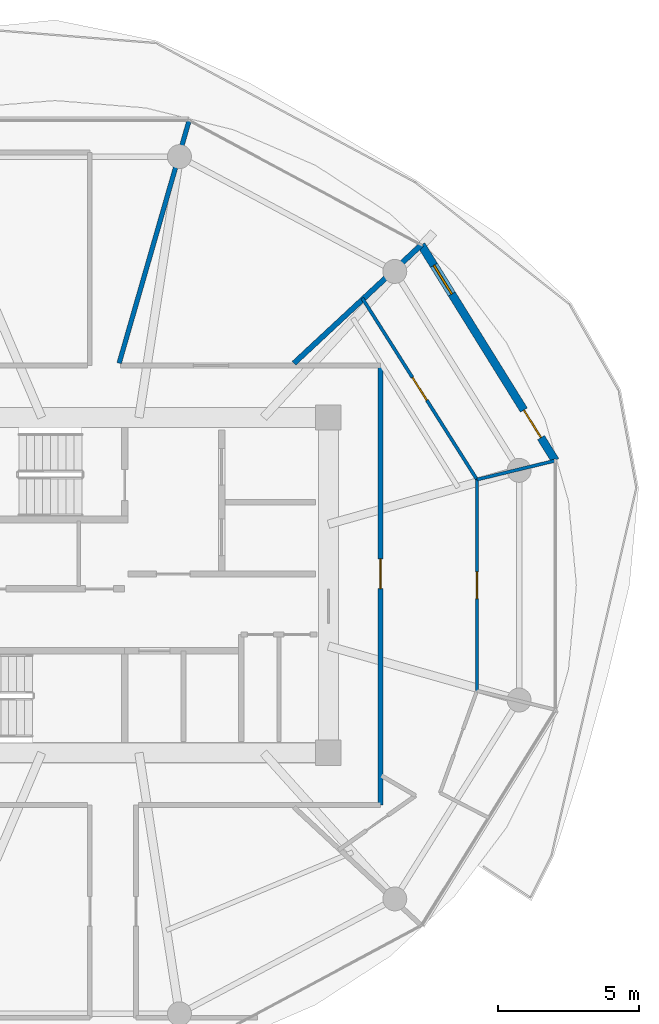
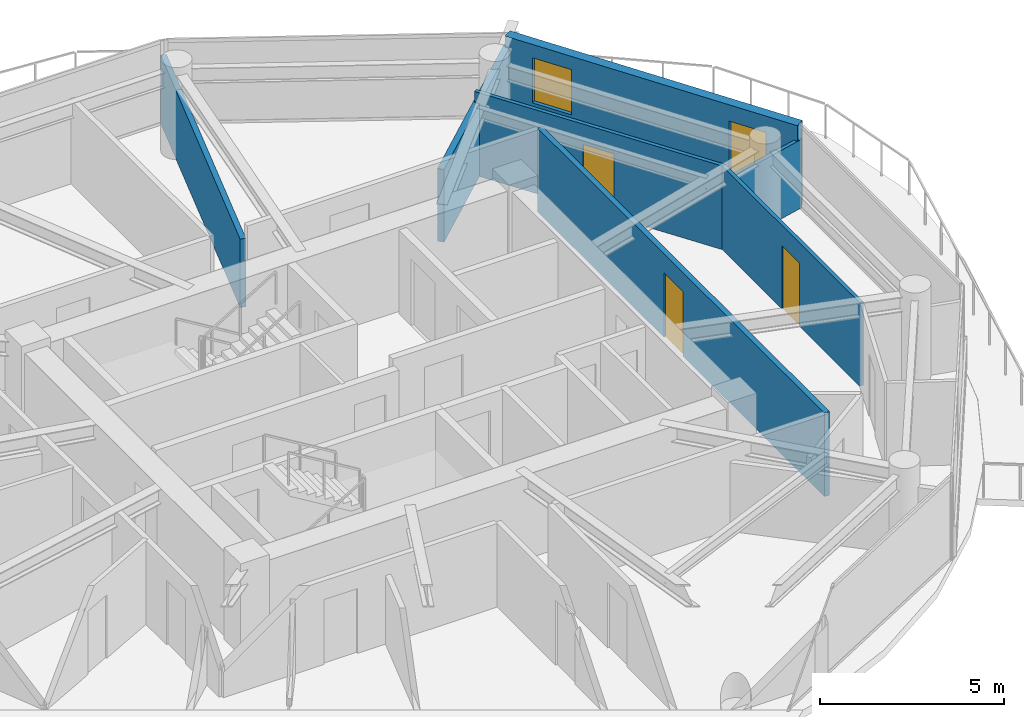
# One storey, part 18 of 24: 7 walls, 4 doors, 1 window, 5 openings.
"""IFC4 building model written with IfcOpenShell, lengths in metres."""

from ifc_helpers import new_model, si_unit, direction, frame, frame_2d, origin, place, context, subcontext, project, spatial, rectangle, extrude, source, transform, mapped, material, layer, layer_set, type_object, type_shapes, element, fill, save


model = new_model("IFC4")

# Units and contexts
model_context = context("Model", 3, precision=1e-05, world=origin(), true_north=direction((0.0, 1.0)))
body_context = subcontext(model_context, "Body", "Model", "MODEL_VIEW")
ifc_project = project(units=[si_unit("LENGTHUNIT", "METRE"), si_unit("AREAUNIT", "SQUARE_METRE"), si_unit("VOLUMEUNIT", "CUBIC_METRE"), si_unit("PLANEANGLEUNIT", "RADIAN"), si_unit("MASSUNIT", "GRAM", prefix="KILO")], contexts=[model_context])

# Site, building, storey
site_placement = place(None, origin())
site = spatial("IfcSite", under=ifc_project, at=site_placement, CompositionType="ELEMENT")
building_placement = place(site_placement, origin())
building = spatial("IfcBuilding", under=site, at=building_placement, Name="Norrkilde Senior Care Towers", CompositionType="ELEMENT")
storey_placement = place(building_placement, frame((0.0, 0.0, 105.39990234375)))
storey = spatial("IfcBuildingStorey", under=building, at=storey_placement, Name="L32", CompositionType="ELEMENT", Elevation=105.39990234375)

# Wall, openings, door, window
ifc_material_1 = material(Name="Precast concrete C45/55", Category="concrete")
ifc_layer_1 = layer(ifc_material_1, 0.2900390625)
ifc_layer_set_1 = layer_set([ifc_layer_1], Name="Precast concrete C45/55")
wall_type_1 = type_object("IfcWallType", Name="Winter Garden Facade Wall 290", PredefinedType="SOLIDWALL", material=ifc_layer_set_1)
shared_shape_1 = source(origin(), body_context, "Body", "SweptSolid", [
    extrude(rectangle(XDim=9.01416015625, YDim=0.2900390625, at=frame_2d((4.507080078125, 0.0))), origin(), (0.0, 0.0, 1.0), 2.7900390625),
])
type_shapes(wall_type_1, [shared_shape_1])
wall_1_placement = place(storey_placement, frame((38.946533203125, 12.077392578125, 0.0), z_axis=(0.0, 0.0, 1.0), x_axis=(0.527732945084, -0.849410347637, 0.0)))
wall_1 = element("IfcWall", 1, at=wall_1_placement, inside=storey, type_object=wall_type_1, Name="L32 Drum E Balcony Access Wall 00", PredefinedType="SOLIDWALL", context=body_context, shape_type="MappedRepresentation", body=[
    mapped(shared_shape_1, transform((0.0, 0.0, 0.0), x_axis=(1.0, 0.0, 0.0), y_axis=(0.0, 1.0, 0.0), z_axis=(0.0, 0.0, 1.0), scale=1.0)),
])
opening_1_placement = place(wall_1_placement, frame((6.89990234375, 0.0, 0.0)))
opening_1 = element("IfcOpeningElement", 2, at=opening_1_placement, cuts=wall_1, Name="Opening D-09", PredefinedType="OPENING", context=body_context, shape_type="SweptSolid", body=[
    extrude(rectangle(XDim=1.14990234375, YDim=2.25, at=frame_2d((0.574951171875, 1.125))), frame((0.0, 0.155029296875, 0.0), z_axis=(0.0, -1.0, 0.0), x_axis=(1.0, 0.0, 0.0)), (0.0, 0.0, 1.0), 0.31005859375),
])
opening_2_placement = place(wall_1_placement, frame((0.85009765625, 0.0, 0.85009765625)))
opening_2 = element("IfcOpeningElement", 3, at=opening_2_placement, cuts=wall_1, Name="Opening WN-07", PredefinedType="OPENING", context=body_context, shape_type="SweptSolid", body=[
    extrude(rectangle(XDim=1.199951171875, YDim=1.5, at=frame_2d((0.60009765625, 0.75))), frame((0.0, 0.155029296875, 0.0), z_axis=(0.0, -1.0, 0.0), x_axis=(1.0, 0.0, 0.0)), (0.0, 0.0, 1.0), 0.31005859375),
])
ifc_material_2 = material(Name="Anodised Aluminium", Category="aluminium")
door_type_1 = type_object("IfcDoorType", Name="Terrace and Balcony Glazed Door 1150x2250", OperationType="NOTDEFINED", PredefinedType="DOOR", material=ifc_material_2)
shared_shape_2 = source(origin(), body_context, "Body", "SweptSolid", [
    extrude(rectangle(XDim=1.14990234375, YDim=2.25, at=frame_2d((0.574951171875, 1.125))), frame((0.0, 0.02490234375, 0.0), z_axis=(0.0, -1.0, 0.0), x_axis=(1.0, 0.0, 0.0)), (0.0, 0.0, 1.0), 0.050048828125),
])
type_shapes(door_type_1, [shared_shape_2])
door_1_placement = place(opening_1_placement, origin())
door_1 = element("IfcDoor", 4, at=door_1_placement, inside=storey, type_object=door_type_1, Name="L32 Drum E Outdoor Terrace Door 00", OperationType="SINGLE_SWING_LEFT", OverallHeight=2.25, OverallWidth=1.14990234375, PredefinedType="DOOR", context=body_context, shape_type="MappedRepresentation", body=[
    mapped(shared_shape_2, transform((0.0, 0.0, 0.0), x_axis=(1.0, 0.0, 0.0), y_axis=(0.0, 1.0, 0.0), z_axis=(0.0, 0.0, 1.0), scale=1.0)),
])
fill(opening_1, door_1)
ifc_material_3 = material(Name="Triple Low-E Insulated Glazing", Category="glass")
window_type = type_object("IfcWindowType", Name="Stairwell Smoke Vent Window 1200x1500", PartitioningType="SINGLE_PANEL", PredefinedType="WINDOW", material=ifc_material_3)
shared_shape_3 = source(origin(), body_context, "Body", "SweptSolid", [
    extrude(rectangle(XDim=1.199951171875, YDim=1.5, at=frame_2d((0.60009765625, 0.75))), frame((0.0, 0.030029296875, 0.0), z_axis=(0.0, -1.0, 0.0), x_axis=(1.0, 0.0, 0.0)), (0.0, 0.0, 1.0), 0.06005859375),
])
type_shapes(window_type, [shared_shape_3])
window_placement = place(opening_2_placement, origin())
window = element("IfcWindow", 5, at=window_placement, inside=storey, type_object=window_type, Name="L32 Drum E Winter Garden Window 00", OverallHeight=1.5, OverallWidth=1.199951171875, PartitioningType="SINGLE_PANEL", PredefinedType="WINDOW", context=body_context, shape_type="MappedRepresentation", body=[
    mapped(shared_shape_3, transform((0.0, 0.0, 0.0), x_axis=(1.0, 0.0, 0.0), y_axis=(0.0, 1.0, 0.0), z_axis=(0.0, 0.0, 1.0), scale=1.0)),
])
fill(opening_2, window)

# Wall, opening, door
ifc_material_4 = material(Name="Gypsum Acoustic Board")
ifc_layer_2 = layer(ifc_material_4, 0.1650390625)
ifc_layer_set_2 = layer_set([ifc_layer_2], Name="Gypsum Acoustic Board")
wall_type_2 = type_object("IfcWallType", Name="Corridor Rated Partition 165", PredefinedType="PARTITIONING", material=ifc_layer_set_2)
shared_shape_4 = source(origin(), body_context, "Body", "SweptSolid", [
    extrude(rectangle(XDim=15.60009765625, YDim=0.1650390625, at=frame_2d((7.800048828125, 0.0))), origin(), (0.0, 0.0, 1.0), 2.775146484375),
])
wall_2_placement = place(storey_placement, frame((37.5, 7.800048828125, 0.0), z_axis=(0.0, 0.0, 1.0), x_axis=(0.0, -1.0, 0.0)))
wall_2 = element("IfcWall", 6, at=wall_2_placement, inside=storey, type_object=wall_type_2, Name="WL-INT-L32-E-CRW-E-0", PredefinedType="PARTITIONING", context=body_context, shape_type="MappedRepresentation", body=[
    mapped(shared_shape_4, transform((0.0, 0.0, 0.0), x_axis=(1.0, 0.0, 0.0), y_axis=(0.0, 1.0, 0.0), z_axis=(0.0, 0.0, 1.0), scale=1.0)),
])
opening_3_placement = place(wall_2_placement, frame((6.86962890625, 0.0, 0.0)))
opening_3 = element("IfcOpeningElement", 7, at=opening_3_placement, cuts=wall_2, Name="Opening D-06", PredefinedType="OPENING", context=body_context, shape_type="SweptSolid", body=[
    extrude(rectangle(XDim=1.050048828125, YDim=2.14990234375, at=frame_2d((0.52490234375, 1.074951171875))), frame((0.0, 0.092529296875, 0.0), z_axis=(0.0, -1.0, 0.0), x_axis=(1.0, 0.0, 0.0)), (0.0, 0.0, 1.0), 0.18505859375),
])
ifc_material_5 = material(Name="Nordic Ash Timber", Category="wood")
door_type_2 = type_object("IfcDoorType", Name="Apartment Entrance Fire Door 1050x2150", OperationType="NOTDEFINED", PredefinedType="DOOR", material=ifc_material_5)
shared_shape_5 = source(origin(), body_context, "Body", "SweptSolid", [
    extrude(rectangle(XDim=1.050048828125, YDim=2.14990234375, at=frame_2d((0.52490234375, 1.074951171875))), frame((0.0, 0.02490234375, 0.0), z_axis=(0.0, -1.0, 0.0), x_axis=(1.0, 0.0, 0.0)), (0.0, 0.0, 1.0), 0.050048828125),
])
type_shapes(door_type_2, [shared_shape_5])
door_2_placement = place(opening_3_placement, frame((1.050048828125, 0.0, 0.0), z_axis=(0.0, 0.0, 1.0), x_axis=(-1.0, 0.0, 0.0)))
door_2 = element("IfcDoor", 8, at=door_2_placement, inside=storey, type_object=door_type_2, Name="Apartment 32E Entrance Door", OperationType="SINGLE_SWING_LEFT", OverallHeight=2.14990234375, OverallWidth=1.050048828125, PredefinedType="DOOR", context=body_context, shape_type="MappedRepresentation", body=[
    mapped(shared_shape_5, transform((0.0, 0.0, 0.0), x_axis=(1.0, 0.0, 0.0), y_axis=(0.0, 1.0, 0.0), z_axis=(0.0, 0.0, 1.0), scale=1.0)),
])
fill(opening_3, door_2)

ifc_layer_3 = layer(ifc_material_4, 0.114990234375)
ifc_layer_set_3 = layer_set([ifc_layer_3], Name="Gypsum Acoustic Board")
wall_type_3 = type_object("IfcWallType", Name="Internal Room Partition 115", PredefinedType="PARTITIONING", material=ifc_layer_set_3)
shared_shape_6 = source(origin(), body_context, "Body", "SweptSolid", [
    extrude(rectangle(XDim=7.4990234375, YDim=0.114990234375, at=frame_2d((3.74951171875, 0.0))), origin(), (0.0, 0.0, 1.0), 2.775146484375),
])
wall_3_placement = place(storey_placement, frame((40.9248046875, -3.74951171875, 0.0), z_axis=(0.0, 0.0, 1.0), x_axis=(0.0, 1.0, 0.0)))
wall_3 = element("IfcWall", 9, at=wall_3_placement, inside=storey, type_object=wall_type_3, Name="WL-INT-L32-E-UBC-10-1", PredefinedType="PARTITIONING", context=body_context, shape_type="MappedRepresentation", body=[
    mapped(shared_shape_6, transform((0.0, 0.0, 0.0), x_axis=(1.0, 0.0, 0.0), y_axis=(0.0, 1.0, 0.0), z_axis=(0.0, 0.0, 1.0), scale=1.0)),
])
opening_4_placement = place(wall_3_placement, frame((3.274658203125, 0.0, 0.0)))
opening_4 = element("IfcOpeningElement", 10, at=opening_4_placement, cuts=wall_3, Name="Opening D-07", PredefinedType="OPENING", context=body_context, shape_type="SweptSolid", body=[
    extrude(rectangle(XDim=0.949951171875, YDim=2.10009765625, at=frame_2d((0.47509765625, 1.050048828125))), frame((0.0, 0.0673828125, 0.0), z_axis=(0.0, -1.0, 0.0), x_axis=(1.0, 0.0, 0.0)), (0.0, 0.0, 1.0), 0.135009765625),
])
door_type_3 = type_object("IfcDoorType", Name="Internal Suite Bedroom Door 950x2100", OperationType="NOTDEFINED", PredefinedType="DOOR", material=ifc_material_5)
shared_shape_7 = source(origin(), body_context, "Body", "SweptSolid", [
    extrude(rectangle(XDim=0.949951171875, YDim=2.10009765625, at=frame_2d((0.47509765625, 1.050048828125))), frame((0.0, 0.02490234375, 0.0), z_axis=(0.0, -1.0, 0.0), x_axis=(1.0, 0.0, 0.0)), (0.0, 0.0, 1.0), 0.050048828125),
])
type_shapes(door_type_3, [shared_shape_7])
door_3_placement = place(opening_4_placement, origin())
door_3 = element("IfcDoor", 11, at=door_3_placement, inside=storey, type_object=door_type_3, Name="Apartment 32E Bedroom 1 Door", OperationType="SINGLE_SWING_RIGHT", OverallHeight=2.10009765625, OverallWidth=0.949951171875, PredefinedType="DOOR", context=body_context, shape_type="MappedRepresentation", body=[
    mapped(shared_shape_7, transform((0.0, 0.0, 0.0), x_axis=(1.0, 0.0, 0.0), y_axis=(0.0, 1.0, 0.0), z_axis=(0.0, 0.0, 1.0), scale=1.0)),
])
fill(opening_4, door_3)

shared_shape_8 = source(origin(), body_context, "Body", "SweptSolid", [
    extrude(rectangle(XDim=7.617919921875, YDim=0.114990234375, at=frame_2d((3.80908203125, 0.0))), origin(), (0.0, 0.0, 1.0), 2.775146484375),
])
wall_4_placement = place(storey_placement, frame((40.923095703125, 3.749267578125, 0.0), z_axis=(0.0, 0.0, 1.0), x_axis=(-0.534316104929, 0.845284744931, 0.0)))
wall_4 = element("IfcWall", 12, at=wall_4_placement, inside=storey, type_object=wall_type_3, Name="WL-INT-L32-E-UBC-10-2", PredefinedType="PARTITIONING", context=body_context, shape_type="MappedRepresentation", body=[
    mapped(shared_shape_8, transform((0.0, 0.0, 0.0), x_axis=(1.0, 0.0, 0.0), y_axis=(0.0, 1.0, 0.0), z_axis=(0.0, 0.0, 1.0), scale=1.0)),
])
opening_5_placement = place(wall_4_placement, frame((3.333984375, 0.0, 0.0)))
opening_5 = element("IfcOpeningElement", 13, at=opening_5_placement, cuts=wall_4, Name="Opening D-07", PredefinedType="OPENING", context=body_context, shape_type="SweptSolid", body=[
    extrude(rectangle(XDim=0.949951171875, YDim=2.10009765625, at=frame_2d((0.47509765625, 1.050048828125))), frame((0.0, 0.0673828125, 0.0), z_axis=(0.0, -1.0, 0.0), x_axis=(1.0, 0.0, 0.0)), (0.0, 0.0, 1.0), 0.135009765625),
])
door_4_placement = place(opening_5_placement, frame((0.949951171875, 0.0, 0.0), z_axis=(0.0, 0.0, 1.0), x_axis=(-1.0, 0.0, 0.0)))
door_4 = element("IfcDoor", 14, at=door_4_placement, inside=storey, type_object=door_type_3, Name="Apartment 32E Bedroom 2 Door", OperationType="SINGLE_SWING_LEFT", OverallHeight=2.10009765625, OverallWidth=0.949951171875, PredefinedType="DOOR", context=body_context, shape_type="MappedRepresentation", body=[
    mapped(shared_shape_7, transform((0.0, 0.0, 0.0), x_axis=(1.0, 0.0, 0.0), y_axis=(0.0, 1.0, 0.0), z_axis=(0.0, 0.0, 1.0), scale=1.0)),
])
fill(opening_5, door_4)

# Walls
shared_shape_9 = source(origin(), body_context, "Body", "SweptSolid", [
    extrude(rectangle(XDim=2.880615234375, YDim=0.114990234375, at=frame_2d((1.4404296875, 0.0))), origin(), (0.0, 0.0, 1.0), 2.275146484375),
])
type_shapes(wall_type_3, [shared_shape_6, shared_shape_8, shared_shape_9])
wall_5_placement = place(storey_placement, frame((40.923095703125, 3.749267578125, 0.0), z_axis=(0.0, 0.0, 1.0), x_axis=(0.972031524605, 0.234850410208, 0.0)))
element("IfcWall", 15, at=wall_5_placement, inside=storey, type_object=wall_type_3, Name="WL-INT-L32-E-UBR-10-2", PredefinedType="PARTITIONING", context=body_context, shape_type="MappedRepresentation", body=[
    mapped(shared_shape_9, transform((0.0, 0.0, 0.0), x_axis=(1.0, 0.0, 0.0), y_axis=(0.0, 1.0, 0.0), z_axis=(0.0, 0.0, 1.0), scale=1.0)),
])
shared_shape_10 = source(origin(), body_context, "Body", "SweptSolid", [
    extrude(rectangle(XDim=8.9892578125, YDim=0.1650390625, at=frame_2d((4.49462890625, 0.0))), origin(), (0.0, 0.0, 1.0), 2.275146484375),
])
type_shapes(wall_type_2, [shared_shape_4, shared_shape_10])
wall_6_placement = place(storey_placement, frame((28.221923828125, 7.8798828125, 0.0), z_axis=(0.0, 0.0, 1.0), x_axis=(0.27702323008, 0.960863221274, 0.0)))
element("IfcWall", 16, at=wall_6_placement, inside=storey, type_object=wall_type_2, Name="WL-INT-L32-E-DEM-02-0", PredefinedType="PARTITIONING", context=body_context, shape_type="MappedRepresentation", body=[
    mapped(shared_shape_10, transform((0.0, 0.0, 0.0), x_axis=(1.0, 0.0, 0.0), y_axis=(0.0, 1.0, 0.0), z_axis=(0.0, 0.0, 1.0), scale=1.0)),
])
ifc_layer_4 = layer(ifc_material_4, 0.18994140625)
ifc_layer_set_4 = layer_set([ifc_layer_4], Name="Gypsum Acoustic Board")
wall_type_4 = type_object("IfcWallType", Name="Unit Demising Acoustic Wall 190", PredefinedType="PARTITIONING", material=ifc_layer_set_4)
shared_shape_11 = source(origin(), body_context, "Body", "SweptSolid", [
    extrude(rectangle(XDim=6.186767578125, YDim=0.18994140625, at=frame_2d((3.09326171875, 0.0))), origin(), (0.0, 0.0, 1.0), 2.4150390625),
])
type_shapes(wall_type_4, [shared_shape_11])
wall_7_placement = place(storey_placement, frame((34.428955078125, 7.8798828125, 0.0), z_axis=(0.0, 0.0, 1.0), x_axis=(0.732501077882, 0.680765870841, 0.0)))
element("IfcWall", 17, at=wall_7_placement, inside=storey, type_object=wall_type_4, Name="WL-INT-L32-E-DEM-01-0", PredefinedType="PARTITIONING", context=body_context, shape_type="MappedRepresentation", body=[
    mapped(shared_shape_11, transform((0.0, 0.0, 0.0), x_axis=(1.0, 0.0, 0.0), y_axis=(0.0, 1.0, 0.0), z_axis=(0.0, 0.0, 1.0), scale=1.0)),
])

save(model, "model.ifc")
